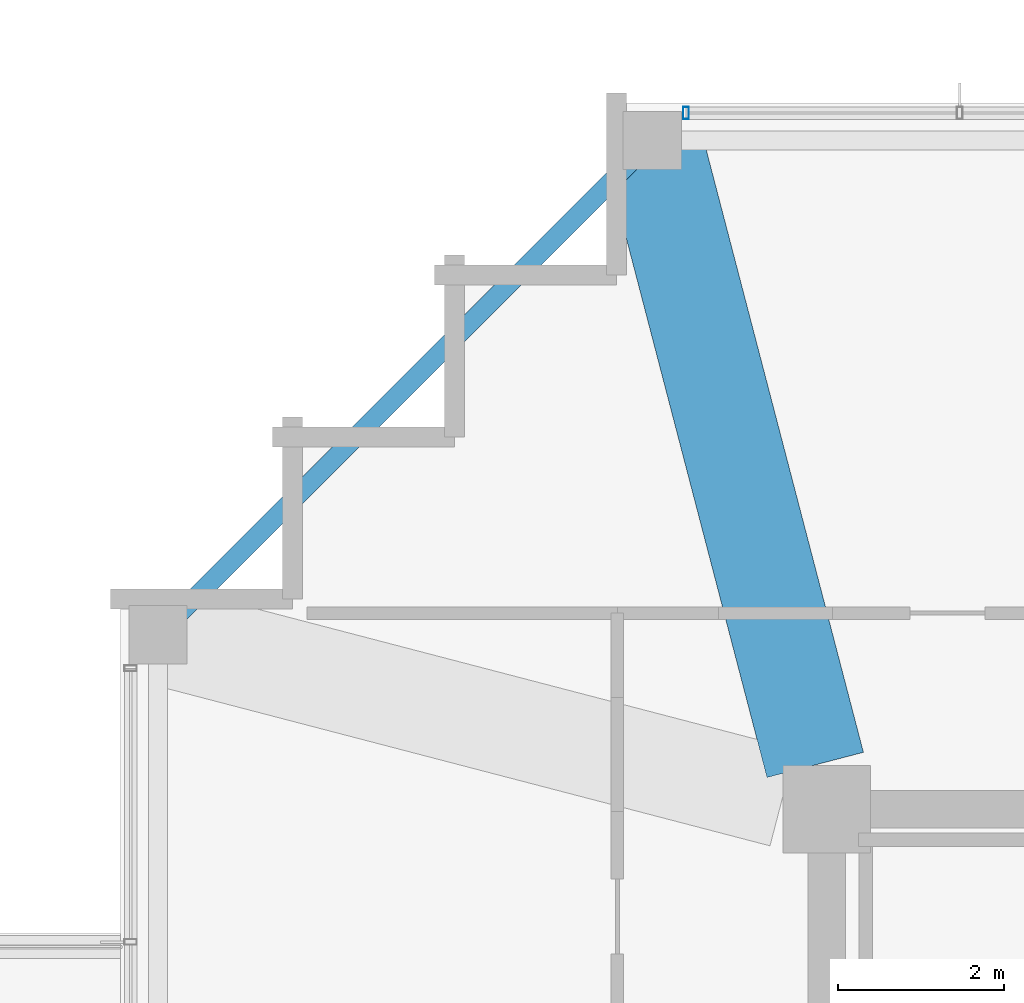
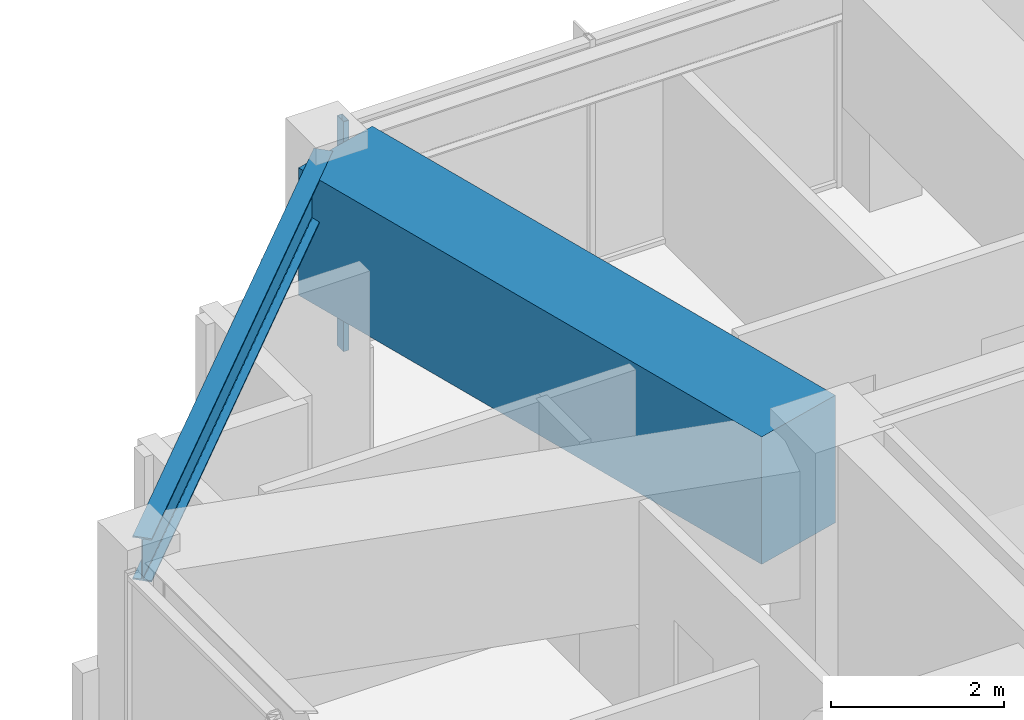
# One storey, part 14 of 31: 2 beams, 1 member, 1 element without a shape of its own.
"""IFC4 building model written with IfcOpenShell, lengths in metres."""

from ifc_helpers import new_model, si_unit, direction, frame, origin, origin_2d, place, context, subcontext, project, spatial, rectangle, hollow_rectangle, i_section, extrude, material, material_profile, profile_set, type_object, element, aggregate, save


model = new_model("IFC4")

# Units and contexts
model_context = context("Model", 3, precision=1e-05, world=origin(), true_north=direction((0.0, 1.0)))
body_context = subcontext(model_context, "Body", "Model", "MODEL_VIEW")
ifc_project = project(units=[si_unit("LENGTHUNIT", "METRE"), si_unit("AREAUNIT", "SQUARE_METRE"), si_unit("VOLUMEUNIT", "CUBIC_METRE"), si_unit("PLANEANGLEUNIT", "RADIAN"), si_unit("MASSUNIT", "GRAM", prefix="KILO")], contexts=[model_context])

# Site, building, storey
site_placement = place(None, origin())
site = spatial("IfcSite", under=ifc_project, at=site_placement, CompositionType="ELEMENT")
building_placement = place(site_placement, origin())
building = spatial("IfcBuilding", under=site, at=building_placement, Name="Kolvaren Belvedere", CompositionType="ELEMENT")
storey_placement = place(building_placement, frame((0.0, 0.0, 237.39990234375)))
storey = spatial("IfcBuildingStorey", under=building, at=storey_placement, Name="L69", CompositionType="ELEMENT", Elevation=237.39990234375)

# Beams
ifc_material_1 = material(Name="Structural steel ASTM A992 Grade 50", Category="steel")
ifc_material_profile_1 = material_profile(ifc_material_1, i_section(OverallWidth=0.22900390625, OverallDepth=0.612060546875, WebThickness=0.011962890625, FlangeThickness=0.01953125, FilletRadius=0.01806640625, at=origin_2d()), Name="W24X84")
ifc_profile_set_1 = profile_set([ifc_material_profile_1], Name="Structural steel ASTM A992 Grade 50")
beam_type_1 = type_object("IfcBeamType", Name="BM-SPAN-W24X84", PredefinedType="SPANDREL", material=ifc_profile_set_1)
beam_1_placement = place(storey_placement, frame((-12.111328125, 17.838623046875, 2.944091796875), z_axis=(-0.707106781187, -0.707106781187, 0.0), x_axis=(0.707106781187, -0.707106781187, 0.0)))
element("IfcBeam", 1, at=beam_1_placement, inside=storey, type_object=beam_type_1, Name="L69 Perimeter Spandrel N1-W4", PredefinedType="SPANDREL", context=body_context, shape_type="SweptSolid", body=[
    extrude(i_section(OverallWidth=0.22900390625, OverallDepth=0.612060546875, WebThickness=0.011962890625, FlangeThickness=0.01953125, FilletRadius=0.01806640625, at=origin_2d()), origin(), (0.0, 0.0, 1.0), 8.099609375),
])
ifc_material_2 = material(Name="Concrete C50/60", Category="concrete")
ifc_material_profile_2 = material_profile(ifc_material_2, rectangle(XDim=1.199951171875, YDim=1.800048828125, at=origin_2d()), Name="RC 1200X1800")
ifc_profile_set_2 = profile_set([ifc_material_profile_2], Name="Concrete C50/60")
beam_type_2 = type_object("IfcBeamType", Name="BM-TG-1800", PredefinedType="BEAM", material=ifc_profile_set_2)
beam_2_placement = place(storey_placement, frame((-10.038818359375, 10.43212890625, 2.35009765625), z_axis=(-0.25241668651, 0.967618631679, 0.0), x_axis=(-0.967618631679, -0.25241668651, 0.0)))
element("IfcBeam", 2, at=beam_2_placement, inside=storey, type_object=beam_type_2, Name="L69 Corner Core-to-Perimeter Girder CC4-N1", PredefinedType="BEAM", context=body_context, shape_type="SweptSolid", body=[
    extrude(rectangle(XDim=1.199951171875, YDim=1.800048828125, at=origin_2d()), origin(), (0.0, 0.0, 1.0), 7.62939453125),
])

# Curtain wall, member
ifc_material_3 = material(Name="Anodised pale-metal aluminium AA 6063-T6", Category="aluminium")
curtain_wall_type = type_object("IfcCurtainWallType", Name="CW-Z5-HIGH", PredefinedType="NOTDEFINED", material=ifc_material_3)
curtain_wall_placement = place(storey_placement, origin())
curtain_wall = element("IfcCurtainWall", 3, at=curtain_wall_placement, inside=storey, type_object=curtain_wall_type, Name="L69 Unitised Curtain Wall FCW-L69-N-B1", PredefinedType="NOTDEFINED")
ifc_material_4 = material(Name="Anodised pale-metal aluminium AA 6063-T6", Category="aluminium")
ifc_material_profile_3 = material_profile(ifc_material_4, hollow_rectangle(XDim=0.070068359375, YDim=0.14990234375, WallThickness=0.004150390625, at=origin_2d()), Name="ALU-MUL-150X70")
ifc_profile_set_3 = profile_set([ifc_material_profile_3], Name="Anodised pale-metal aluminium AA 6063-T6")
member_type = type_object("IfcMemberType", Name="CW-MUL-150", PredefinedType="MULLION", material=ifc_profile_set_3)
member_placement = place(storey_placement, frame((-11.594970703125, 18.280029296875, 0.0), z_axis=(0.0, 0.0, 1.0), x_axis=(1.0, 0.0, 0.0)))
member = element("IfcMember", 4, at=member_placement, type_object=member_type, Name="FCW-L69-N-B1 Unitised Mullion 1", PredefinedType="MULLION", context=body_context, shape_type="SweptSolid", body=[
    extrude(hollow_rectangle(XDim=0.070068359375, YDim=0.14990234375, WallThickness=0.004150390625, at=origin_2d()), origin(), (0.0, 0.0, 1.0), 3.25),
])
aggregate(curtain_wall, [member])

save(model, "model.ifc")
